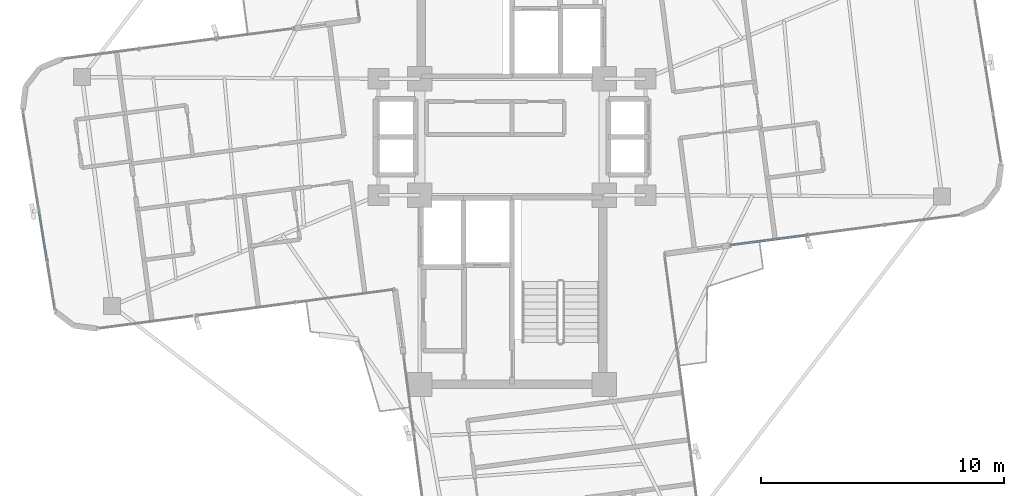
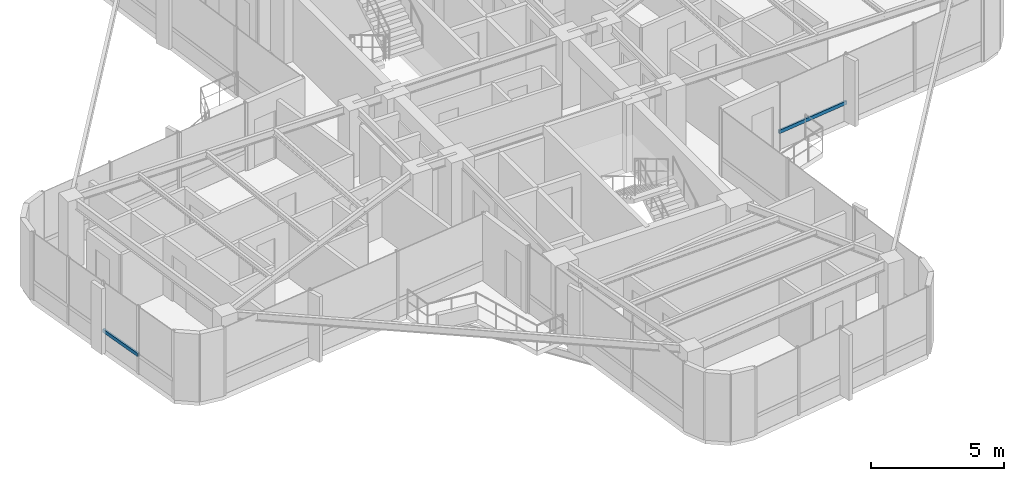
# One storey, part 6 of 22: 2 members, 2 elements without a shape of their own.
"""IFC4 building model written with IfcOpenShell, lengths in metres."""

from ifc_helpers import new_model, si_unit, direction, frame, origin, origin_2d, place, context, subcontext, project, spatial, hollow_rectangle, extrude, source, transform, mapped, material, material_profile, profile_set, type_object, element, aggregate, save


model = new_model("IFC4")

# Units and contexts
model_context = context("Model", 3, precision=1e-05, world=origin(), true_north=direction((0.0, 1.0)))
body_context = subcontext(model_context, "Body", "Model", "MODEL_VIEW")
ifc_project = project(units=[si_unit("LENGTHUNIT", "METRE"), si_unit("AREAUNIT", "SQUARE_METRE"), si_unit("VOLUMEUNIT", "CUBIC_METRE"), si_unit("PLANEANGLEUNIT", "RADIAN"), si_unit("MASSUNIT", "GRAM", prefix="KILO")], contexts=[model_context])

# Site, building, storey
site_placement = place(None, origin())
site = spatial("IfcSite", under=ifc_project, at=site_placement, CompositionType="ELEMENT")
building_placement = place(site_placement, origin())
building = spatial("IfcBuilding", under=site, at=building_placement, Name="Sahyath Konkavel Grand Hotel", CompositionType="ELEMENT")
storey_placement = place(building_placement, frame((0.0, 0.0, 257.89990234375)))
storey = spatial("IfcBuildingStorey", under=building, at=storey_placement, Name="L72", CompositionType="ELEMENT", Elevation=257.89990234375)

# Curtain wall, member
ifc_material_1 = material(Name="Anodised Bronze Aluminium & Low-E Glazing", Category="aluminium")
curtain_wall_type = type_object("IfcCurtainWallType", Name="CW-ZONE4", PredefinedType="NOTDEFINED", material=ifc_material_1)
curtain_wall_1_placement = place(storey_placement, origin())
curtain_wall_1 = element("IfcCurtainWall", 1, at=curtain_wall_1_placement, inside=storey, type_object=curtain_wall_type, Name="L72 Unitised Curtain Wall F0", PredefinedType="NOTDEFINED")
ifc_material_2 = material(Name="Anodised Bronze Aluminium", Category="aluminium")
ifc_material_profile = material_profile(ifc_material_2, hollow_rectangle(XDim=0.080078125, YDim=0.159912109375, WallThickness=0.006103515625, at=origin_2d()), Name="RHS 160x80x6")
ifc_profile_set = profile_set([ifc_material_profile], Name="Anodised Bronze Aluminium")
member_type = type_object("IfcMemberType", Name="CW-TRN-160", PredefinedType="USERDEFINED", material=ifc_profile_set)
shared_shape_1 = source(origin(), body_context, "Body", "SweptSolid", [
    extrude(hollow_rectangle(XDim=0.080078125, YDim=0.159912109375, WallThickness=0.006103515625, at=origin_2d()), origin(), (0.0, 0.0, 1.0), 3.203369140625),
])
member_1_placement = place(storey_placement, frame((8.99951171875, -4.46337890625, 0.85009765625), z_axis=(0.991451441867, 0.130476198668, 0.0), x_axis=(-0.130476198668, 0.991451441867, 0.0)))
member_1 = element("IfcMember", 2, at=member_1_placement, type_object=member_type, Name="L72 Curtain Wall Transom F0-0-spandrel", ObjectType="TRANSOM", PredefinedType="USERDEFINED", context=body_context, shape_type="MappedRepresentation", body=[
    mapped(shared_shape_1, transform((0.0, 0.0, 0.0), scale=1.0)),
])
aggregate(curtain_wall_1, [member_1])

curtain_wall_2_placement = place(storey_placement, origin())
curtain_wall_2 = element("IfcCurtainWall", 3, at=curtain_wall_2_placement, inside=storey, type_object=curtain_wall_type, Name="L72 Unitised Curtain Wall F20", PredefinedType="NOTDEFINED")
shared_shape_2 = source(origin(), body_context, "Body", "SweptSolid", [
    extrude(hollow_rectangle(XDim=0.080078125, YDim=0.159912109375, WallThickness=0.006103515625, at=origin_2d()), origin(), (0.0, 0.0, 1.0), 2.087158203125),
])
member_2_placement = place(storey_placement, frame((-19.487060546875, -3.031982421875, 0.85009765625), z_axis=(0.159673756436, -0.98716983924, 0.0), x_axis=(0.98716983924, 0.159673756436, 0.0)))
member_2 = element("IfcMember", 4, at=member_2_placement, type_object=member_type, Name="L72 Curtain Wall Transom F20-2-spandrel", ObjectType="TRANSOM", PredefinedType="USERDEFINED", context=body_context, shape_type="MappedRepresentation", body=[
    mapped(shared_shape_2, transform((0.0, 0.0, 0.0), scale=1.0)),
])
aggregate(curtain_wall_2, [member_2])

save(model, "model.ifc")
